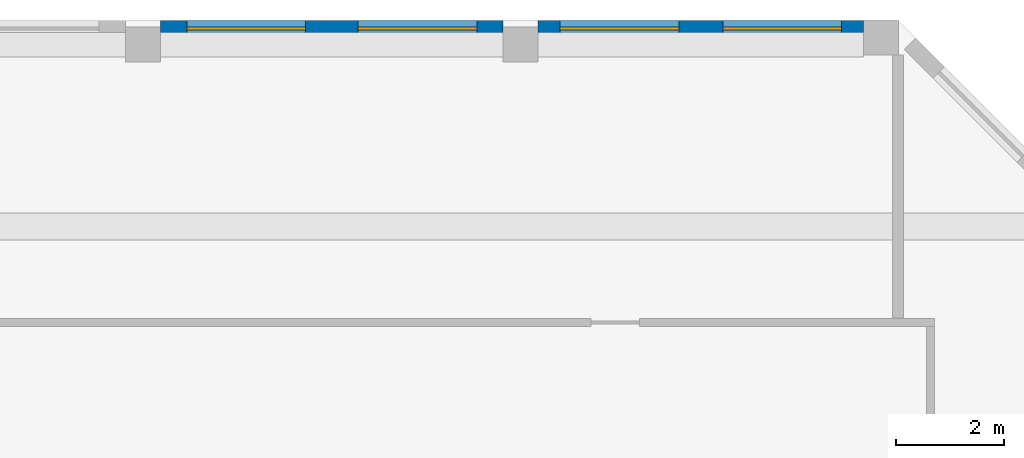
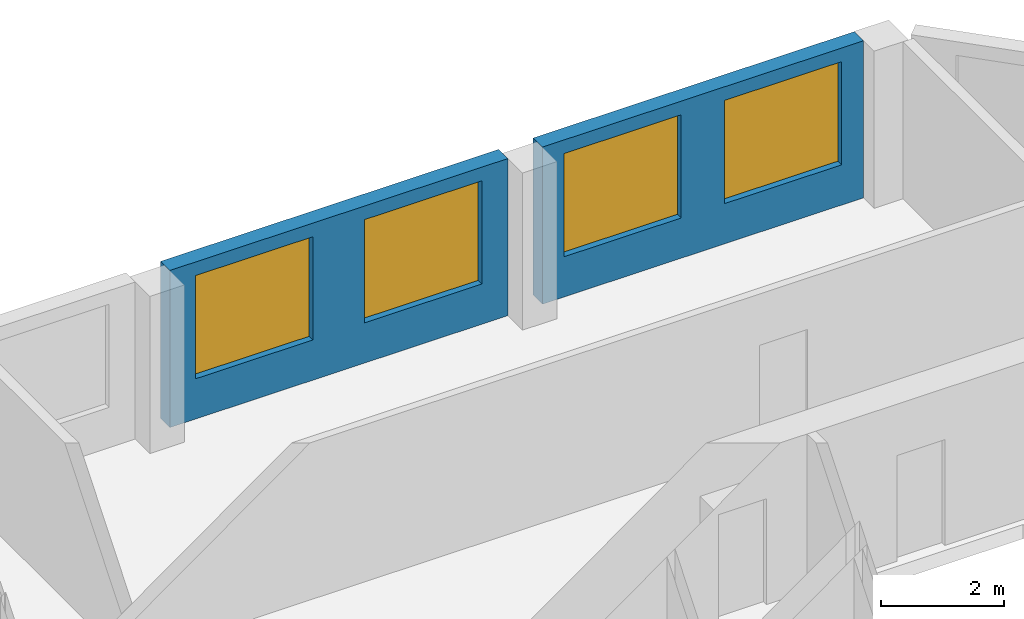
# One storey, part 9 of 18: 4 windows, 2 walls, 4 openings.
"""IFC4 building model written with IfcOpenShell, lengths in metres."""

from ifc_helpers import new_model, si_unit, direction, frame, frame_2d, origin, place, context, subcontext, project, spatial, rectangle, extrude, source, transform, mapped, material, layer, layer_set, type_object, element, fill, save


model = new_model("IFC4")

# Units and contexts
model_context = context("Model", 3, precision=1e-05, world=origin(), true_north=direction((0.0, 1.0)))
body_context = subcontext(model_context, "Body", "Model", "MODEL_VIEW")
ifc_project = project(units=[si_unit("LENGTHUNIT", "METRE"), si_unit("AREAUNIT", "SQUARE_METRE"), si_unit("VOLUMEUNIT", "CUBIC_METRE"), si_unit("PLANEANGLEUNIT", "RADIAN"), si_unit("MASSUNIT", "GRAM", prefix="KILO")], contexts=[model_context])

# Site, building, storey
site_placement = place(None, origin())
site = spatial("IfcSite", under=ifc_project, at=site_placement, CompositionType="ELEMENT")
building_placement = place(site_placement, origin())
building = spatial("IfcBuilding", under=site, at=building_placement, Name="Kilnfold Tower and Market Hall", CompositionType="ELEMENT")
storey_placement = place(building_placement, frame((0.0, 0.0, 277.199951171875)))
storey = spatial("IfcBuildingStorey", under=building, at=storey_placement, Name="L68", CompositionType="ELEMENT", Elevation=277.199951171875)

# Wall, openings, windows
ifc_material_1 = material(Name="Precast concrete C50/60", Category="concrete")
ifc_layer = layer(ifc_material_1, 0.300048828125)
ifc_layer_set = layer_set([ifc_layer], Name="Precast concrete C50/60")
wall_type = type_object("IfcWallType", Name="PRECAST WALL 300", PredefinedType="SOLIDWALL", material=ifc_layer_set)
shared_shape_1 = source(origin(), body_context, "Body", "SweptSolid", [
    extrude(rectangle(XDim=6.35009765625, YDim=0.300048828125, at=frame_2d((3.175048828125, 0.0))), origin(), (0.0, 0.0, 1.0), 3.1201171875),
])
wall_1_placement = place(storey_placement, frame((12.675048828125, 30.35009765625, 0.0), z_axis=(0.0, 0.0, 1.0), x_axis=(-1.0, 0.0, 0.0)))
wall_1 = element("IfcWall", 1, at=wall_1_placement, inside=storey, type_object=wall_type, Name="External wall L68 N", PredefinedType="SOLIDWALL", context=body_context, shape_type="MappedRepresentation", body=[
    mapped(shared_shape_1, transform((0.0, 0.0, 0.0))),
])
opening_1_placement = place(wall_1_placement, frame((0.487548828125, 0.0, 0.800048828125)))
opening_1 = element("IfcOpeningElement", 2, at=opening_1_placement, cuts=wall_1, Name="Opening W3", PredefinedType="OPENING", context=body_context, shape_type="SweptSolid", body=[
    extrude(rectangle(XDim=2.199951171875, YDim=2.050048828125, at=frame_2d((1.10009765625, 1.02490234375))), frame((0.0, 0.16015625, 0.0), z_axis=(0.0, -1.0, 0.0), x_axis=(1.0, 0.0, 0.0)), (0.0, 0.0, 1.0), 0.320068359375),
])
opening_2_placement = place(wall_1_placement, frame((3.66259765625, 0.0, 0.800048828125)))
opening_2 = element("IfcOpeningElement", 3, at=opening_2_placement, cuts=wall_1, Name="Opening W3", PredefinedType="OPENING", context=body_context, shape_type="SweptSolid", body=[
    extrude(rectangle(XDim=2.199951171875, YDim=2.050048828125, at=frame_2d((1.10009765625, 1.02490234375))), frame((0.0, 0.16015625, 0.0), z_axis=(0.0, -1.0, 0.0), x_axis=(1.0, 0.0, 0.0)), (0.0, 0.0, 1.0), 0.320068359375),
])
ifc_material_2 = material(Name="Aluminium frame and double glazing", Category="aluminium")
window_type = type_object("IfcWindowType", Name="WINDOW W3 2200X2050", PartitioningType="SINGLE_PANEL", PredefinedType="WINDOW", material=ifc_material_2)
window_1_placement = place(opening_1_placement, origin())
window_1 = element("IfcWindow", 4, at=window_1_placement, inside=storey, type_object=window_type, Name="Window W3 L68 N-1", OverallHeight=2.050048828125, OverallWidth=2.199951171875, PartitioningType="SINGLE_PANEL", PredefinedType="WINDOW", context=body_context, shape_type="SweptSolid", body=[
    extrude(rectangle(XDim=2.199951171875, YDim=2.050048828125, at=frame_2d((1.10009765625, 1.02490234375))), frame((0.0, 0.030029296875, 0.0), z_axis=(0.0, -1.0, 0.0), x_axis=(1.0, 0.0, 0.0)), (0.0, 0.0, 1.0), 0.06005859375),
])
fill(opening_1, window_1)
window_2_placement = place(opening_2_placement, origin())
window_2 = element("IfcWindow", 5, at=window_2_placement, inside=storey, type_object=window_type, Name="Window W3 L68 N-2", OverallHeight=2.050048828125, OverallWidth=2.199951171875, PartitioningType="SINGLE_PANEL", PredefinedType="WINDOW", context=body_context, shape_type="SweptSolid", body=[
    extrude(rectangle(XDim=2.199951171875, YDim=2.050048828125, at=frame_2d((1.10009765625, 1.02490234375))), frame((0.0, 0.030029296875, 0.0), z_axis=(0.0, -1.0, 0.0), x_axis=(1.0, 0.0, 0.0)), (0.0, 0.0, 1.0), 0.06005859375),
])
fill(opening_2, window_2)

shared_shape_2 = source(origin(), body_context, "Body", "SweptSolid", [
    extrude(rectangle(XDim=6.03173828125, YDim=0.300048828125, at=frame_2d((3.015869140625, 0.0))), origin(), (0.0, 0.0, 1.0), 3.1201171875),
])
wall_2_placement = place(storey_placement, frame((19.356689453125, 30.35009765625, 0.0), z_axis=(0.0, 0.0, 1.0), x_axis=(-1.0, 0.0, 0.0)))
wall_2 = element("IfcWall", 6, at=wall_2_placement, inside=storey, type_object=wall_type, Name="External wall L68 N", PredefinedType="SOLIDWALL", context=body_context, shape_type="MappedRepresentation", body=[
    mapped(shared_shape_2, transform((0.0, 0.0, 0.0))),
])
opening_3_placement = place(wall_2_placement, frame((0.407958984375, 0.0, 0.800048828125)))
opening_3 = element("IfcOpeningElement", 7, at=opening_3_placement, cuts=wall_2, Name="Opening W3", PredefinedType="OPENING", context=body_context, shape_type="SweptSolid", body=[
    extrude(rectangle(XDim=2.199951171875, YDim=2.050048828125, at=frame_2d((1.10009765625, 1.02490234375))), frame((0.0, 0.16015625, 0.0), z_axis=(0.0, -1.0, 0.0), x_axis=(1.0, 0.0, 0.0)), (0.0, 0.0, 1.0), 0.320068359375),
])
opening_4_placement = place(wall_2_placement, frame((3.423828125, 0.0, 0.800048828125)))
opening_4 = element("IfcOpeningElement", 8, at=opening_4_placement, cuts=wall_2, Name="Opening W3", PredefinedType="OPENING", context=body_context, shape_type="SweptSolid", body=[
    extrude(rectangle(XDim=2.199951171875, YDim=2.050048828125, at=frame_2d((1.10009765625, 1.02490234375))), frame((0.0, 0.16015625, 0.0), z_axis=(0.0, -1.0, 0.0), x_axis=(1.0, 0.0, 0.0)), (0.0, 0.0, 1.0), 0.320068359375),
])
window_3_placement = place(opening_3_placement, origin())
window_3 = element("IfcWindow", 9, at=window_3_placement, inside=storey, type_object=window_type, Name="Window W3 L68 N-1", OverallHeight=2.050048828125, OverallWidth=2.199951171875, PartitioningType="SINGLE_PANEL", PredefinedType="WINDOW", context=body_context, shape_type="SweptSolid", body=[
    extrude(rectangle(XDim=2.199951171875, YDim=2.050048828125, at=frame_2d((1.10009765625, 1.02490234375))), frame((0.0, 0.030029296875, 0.0), z_axis=(0.0, -1.0, 0.0), x_axis=(1.0, 0.0, 0.0)), (0.0, 0.0, 1.0), 0.06005859375),
])
fill(opening_3, window_3)
window_4_placement = place(opening_4_placement, origin())
window_4 = element("IfcWindow", 10, at=window_4_placement, inside=storey, type_object=window_type, Name="Window W3 L68 N-2", OverallHeight=2.050048828125, OverallWidth=2.199951171875, PartitioningType="SINGLE_PANEL", PredefinedType="WINDOW", context=body_context, shape_type="SweptSolid", body=[
    extrude(rectangle(XDim=2.199951171875, YDim=2.050048828125, at=frame_2d((1.10009765625, 1.02490234375))), frame((0.0, 0.030029296875, 0.0), z_axis=(0.0, -1.0, 0.0), x_axis=(1.0, 0.0, 0.0)), (0.0, 0.0, 1.0), 0.06005859375),
])
fill(opening_4, window_4)

save(model, "model.ifc")
